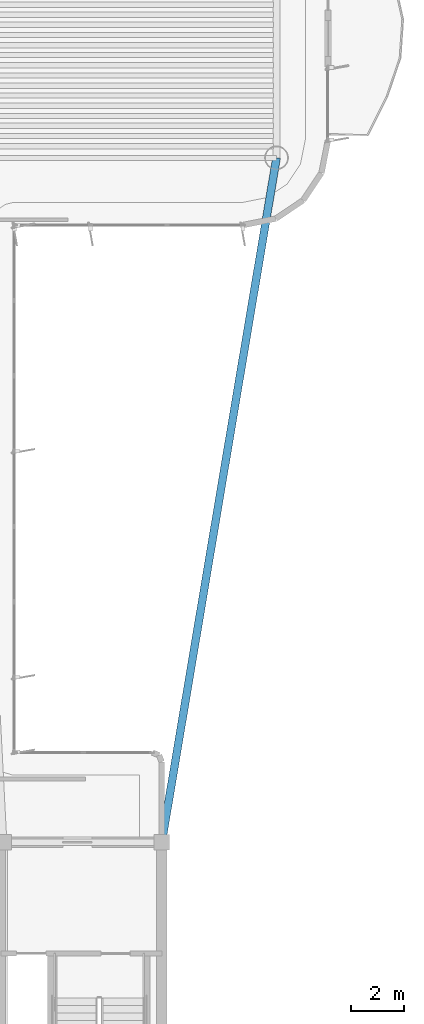
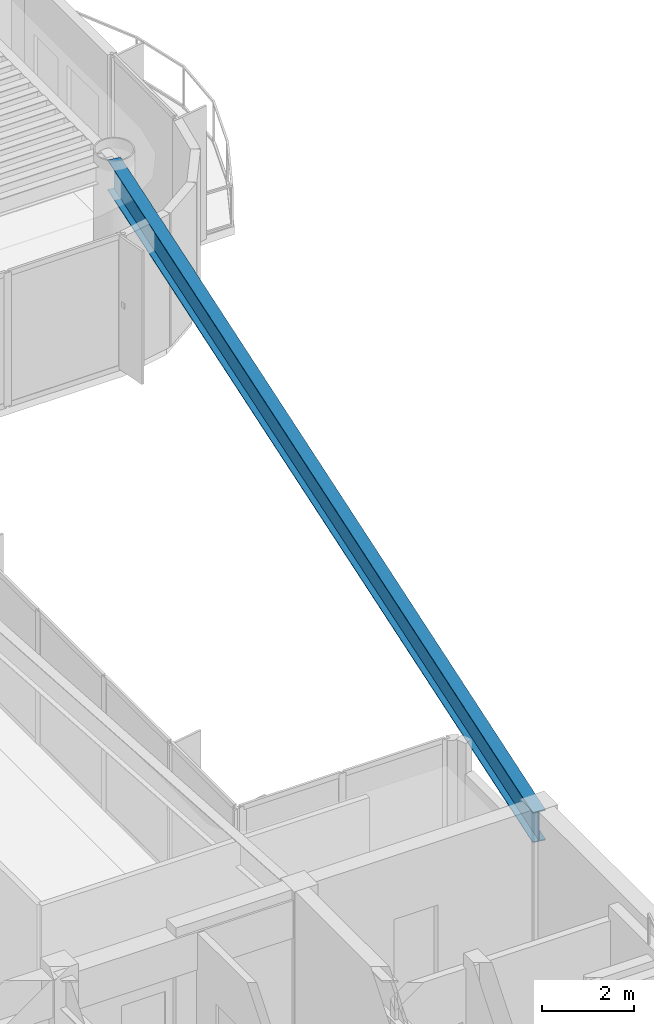
# One storey, part 4 of 15: 1 beam.
"""IFC4 building model written with IfcOpenShell, lengths in metres."""

import ifcopenshell
import ifcopenshell.guid

model = None  # the IFC model being written
_history = None  # IfcOwnerHistory: only IFC2X3 demands one
_inside = {}  # id of a spatial element -> (the spatial element, [elements in it])
_under = {}  # id of a project, library or spatial element -> (it, [spatial elements below it])
_declared = {}  # id of a project -> (the project, [libraries it declares])
_typed = {}  # id of a type object -> (the type object, [elements of that type])
_made_of = {}  # id of a material, layer set ... -> (it, [elements and type objects made of it])


def new_model(schema):
    """Start an empty IFC model of exactly this schema.

    Asked for "IFC4X3", IfcOpenShell would pick the latest addendum, in which some entities
    have other attributes; the version numbers below select the first issue.
    IFC2X3 requires an IfcOwnerHistory on every rooted entity: one is made here for all.
    """
    global model, _history
    if schema == "IFC4X3":
        model = ifcopenshell.file(schema_version=(4, 3, 0, 0))
    else:
        model = ifcopenshell.file(schema=schema)
    _inside.clear()
    _under.clear()
    _declared.clear()
    _typed.clear()
    _made_of.clear()
    _history = None
    if model.schema == "IFC2X3":
        org = make("IfcOrganization", Name="unknown")
        user = make(
            "IfcPersonAndOrganization",
            ThePerson=make("IfcPerson", FamilyName="unknown"),
            TheOrganization=org,
        )
        app = make(
            "IfcApplication",
            ApplicationDeveloper=org,
            Version="unknown",
            ApplicationFullName="unknown",
            ApplicationIdentifier="unknown",
        )
        _history = make(
            "IfcOwnerHistory",
            OwningUser=user,
            OwningApplication=app,
            ChangeAction="ADDED",
            CreationDate=0,
        )
    return model


def make(cls, **values):
    """One entity of the class cls with the attributes given. An attribute that is None is left unset."""
    return model.create_entity(
        cls, **{name: value for name, value in values.items() if value is not None}
    )


def rooted(cls, **values):
    """An entity with a GlobalId (a new one), such as an element, a storey or a relation."""
    return make(cls, GlobalId=ifcopenshell.guid.new(), OwnerHistory=_history, **values)


def si_unit(unit_type, name, prefix=None):
    """IfcSIUnit, for example si_unit("LENGTHUNIT", "METRE", prefix="MILLI")."""
    return make("IfcSIUnit", UnitType=unit_type, Prefix=prefix, Name=name)


def assignment(units):
    """IfcUnitAssignment: the units of a project."""
    return None if units is None else make("IfcUnitAssignment", Units=units)


def point(xyz):
    """IfcCartesianPoint."""
    return None if xyz is None else make("IfcCartesianPoint", Coordinates=xyz)


def direction(xyz):
    """IfcDirection."""
    return None if xyz is None else make("IfcDirection", DirectionRatios=xyz)


def frame(location, z_axis=None, x_axis=None):
    """IfcAxis2Placement3D, a coordinate frame: its origin and axes. An axis left out is left unset."""
    return make(
        "IfcAxis2Placement3D",
        Location=point(location),
        Axis=direction(z_axis),
        RefDirection=direction(x_axis),
    )


def frame_2d(location, x_axis=None):
    """IfcAxis2Placement2D, a coordinate frame in the plane: its origin and x axis."""
    return make(
        "IfcAxis2Placement2D", Location=point(location), RefDirection=direction(x_axis)
    )


def origin():
    """The frame at (0, 0, 0) with its axes left unset."""
    return frame((0.0, 0.0, 0.0))


def origin_2d():
    """The frame at (0, 0) in the plane with its x axis left unset."""
    return frame_2d((0.0, 0.0))


def place(relative_to, where):
    """IfcLocalPlacement: puts the frame where relative to a parent placement (None: the world)."""
    return make(
        "IfcLocalPlacement", PlacementRelTo=relative_to, RelativePlacement=where
    )


def context(
    kind, dimensions, precision=None, world=None, true_north=None, identifier=None
):
    """IfcGeometricRepresentationContext, for example the 3D "Model" context."""
    return make(
        "IfcGeometricRepresentationContext",
        ContextIdentifier=identifier,
        ContextType=kind,
        CoordinateSpaceDimension=dimensions,
        Precision=precision,
        WorldCoordinateSystem=world,
        TrueNorth=true_north,
    )


def subcontext(parent, identifier, kind, view, scale=None):
    """IfcGeometricRepresentationSubContext, for example "Body" below "Model"."""
    return make(
        "IfcGeometricRepresentationSubContext",
        ContextIdentifier=identifier,
        ContextType=kind,
        ParentContext=parent,
        TargetScale=scale,
        TargetView=view,
    )


def project(units=None, contexts=None):
    """IfcProject with its units and contexts."""
    return rooted(
        "IfcProject",
        Name="project",
        RepresentationContexts=contexts,
        UnitsInContext=assignment(units),
    )


def spatial(cls, under=None, at=None, **own):
    """A site, building, storey or space (cls), placed at a placement, below another one or the project."""
    s = rooted(cls, ObjectPlacement=at, **own)
    if under is not None:
        _under.setdefault(under.id(), (under, []))[1].append(s)
    return s


def profile(cls, at=None, kind="AREA", **sizes):
    """A parametric profile (cls). Its sizes go by their IFC names, for example OverallWidth=200.0."""
    return make(cls, ProfileType=kind, Position=at, **sizes)


def i_section(**sizes):
    """IfcIShapeProfileDef."""
    return profile("IfcIShapeProfileDef", **sizes)


def extrude(swept, where, along, depth):
    """IfcExtrudedAreaSolid: the profile swept, set in the frame where, extruded along a direction by depth."""
    return make(
        "IfcExtrudedAreaSolid",
        SweptArea=swept,
        Position=where,
        ExtrudedDirection=direction(along),
        Depth=depth,
    )


def shape(context_of_items, identifier, shape_type, items):
    """IfcShapeRepresentation: the items that make up one representation, for example the "Body"."""
    return make(
        "IfcShapeRepresentation",
        ContextOfItems=context_of_items,
        RepresentationIdentifier=identifier,
        RepresentationType=shape_type,
        Items=items,
    )


def source(mapping_origin, context_of_items, identifier, shape_type, items):
    """IfcRepresentationMap: a shape defined once, which mapped items show again and again."""
    return make(
        "IfcRepresentationMap",
        MappingOrigin=mapping_origin,
        MappedRepresentation=shape(context_of_items, identifier, shape_type, items),
    )


def transform(
    local_origin,
    x_axis=None,
    y_axis=None,
    z_axis=None,
    scale=None,
    scale2=None,
    scale3=None,
    uniform=True,
):
    """IfcCartesianTransformationOperator3D, or its non-uniform kind. x_axis, y_axis, z_axis: its Axis1, 2, 3."""
    if uniform:
        return make(
            "IfcCartesianTransformationOperator3D",
            Axis1=direction(x_axis),
            Axis2=direction(y_axis),
            LocalOrigin=point(local_origin),
            Scale=scale,
            Axis3=direction(z_axis),
        )
    return make(
        "IfcCartesianTransformationOperator3DnonUniform",
        Axis1=direction(x_axis),
        Axis2=direction(y_axis),
        LocalOrigin=point(local_origin),
        Scale=scale,
        Axis3=direction(z_axis),
        Scale2=scale2,
        Scale3=scale3,
    )


def mapped(mapping_source, mapping_target):
    """IfcMappedItem: shows the shape of a source again, moved by a transform."""
    return make(
        "IfcMappedItem", MappingSource=mapping_source, MappingTarget=mapping_target
    )


def material(Name=None, Category=None):
    """IfcMaterial."""
    return make("IfcMaterial", Name=Name, Category=Category)


def material_profile(
    of_material, cross_section, Name=None, Category=None, Priority=None
):
    """IfcMaterialProfile: a cross section and its material."""
    return make(
        "IfcMaterialProfile",
        Name=Name,
        Material=of_material,
        Profile=cross_section,
        Priority=Priority,
        Category=Category,
    )


def profile_set(profiles, Name=None, composite=None):
    """IfcMaterialProfileSet."""
    return make(
        "IfcMaterialProfileSet",
        Name=Name,
        MaterialProfiles=profiles,
        CompositeProfile=composite,
    )


def made_of(thing, what):
    """Note that an element or type object is made of a material, layer set ...; save() writes the relation."""
    if what is not None:
        _made_of.setdefault(what.id(), (what, []))[1].append(thing)
    return thing


def type_object(cls, material=None, **own):
    """A type object (cls), such as IfcWallType, which elements share."""
    return made_of(rooted(cls, **own), material)


def element(
    cls,
    number,
    at=None,
    inside=None,
    cuts=None,
    type_object=None,
    material=None,
    context=None,
    identifier="Body",
    shape_type=None,
    held_by="IfcProductDefinitionShape",
    body=None,
    shapes=None,
    **own,
):
    """One element of the class cls, such as IfcWall. Its Tag is "e" and its number.

    at: its placement. inside: the storey or other place that contains it. cuts: it is an
    opening in that element (IfcRelVoidsElement). A single representation is given by context,
    identifier, shape_type and body (its items); several are given by shapes. held_by: the class
    of the entity that holds the representations. save() writes the other relations.
    """
    e = rooted(cls, Tag="e%d" % number, ObjectPlacement=at, **own)
    if body is not None:
        shapes = [shape(context, identifier, shape_type, body)]
    if shapes is not None:
        e.Representation = make(held_by, Representations=shapes)
    if inside is not None:
        _inside.setdefault(inside.id(), (inside, []))[1].append(e)
    if cuts is not None:
        rooted(
            "IfcRelVoidsElement", RelatingBuildingElement=cuts, RelatedOpeningElement=e
        )
    if type_object is not None:
        _typed.setdefault(type_object.id(), (type_object, []))[1].append(e)
    return made_of(e, material)


def aggregate(whole, parts):
    """IfcRelAggregates: a whole, such as a stair, and the parts it consists of."""
    return rooted("IfcRelAggregates", RelatingObject=whole, RelatedObjects=parts)


def save(model, path):
    """Write the relations noted so far, then the file.

    IfcRelAggregates (storeys below a building ...), IfcRelContainedInSpatialStructure (elements
    in a storey), IfcRelDefinesByType, IfcRelAssociatesMaterial and IfcRelDeclares: one each for
    every whole, place, type object, material and project.
    """
    for whole, parts in _under.values():
        aggregate(whole, parts)
    for where, things in _inside.values():
        rooted(
            "IfcRelContainedInSpatialStructure",
            RelatedElements=things,
            RelatingStructure=where,
        )
    for kind, things in _typed.values():
        rooted("IfcRelDefinesByType", RelatedObjects=things, RelatingType=kind)
    for what, things in _made_of.values():
        rooted("IfcRelAssociatesMaterial", RelatedObjects=things, RelatingMaterial=what)
    for by, libraries in _declared.values():
        rooted("IfcRelDeclares", RelatingContext=by, RelatedDefinitions=libraries)
    model.write(path)


model = new_model("IFC4")

# Units and contexts
model_context = context("Model", 3, precision=1e-05, world=origin(), true_north=direction((0.0, 1.0)))
body_context = subcontext(model_context, "Body", "Model", "MODEL_VIEW")
ifc_project = project(units=[si_unit("LENGTHUNIT", "METRE"), si_unit("AREAUNIT", "SQUARE_METRE"), si_unit("VOLUMEUNIT", "CUBIC_METRE"), si_unit("PLANEANGLEUNIT", "RADIAN"), si_unit("MASSUNIT", "GRAM", prefix="KILO")], contexts=[model_context])

# Site, building, storey
site_placement = place(None, origin())
site = spatial("IfcSite", under=ifc_project, at=site_placement, CompositionType="ELEMENT")
building_placement = place(site_placement, origin())
building = spatial("IfcBuilding", under=site, at=building_placement, Name="Brelvock Crest Care Tower", CompositionType="ELEMENT")
storey_placement = place(building_placement, frame((0.0, 0.0, 279.719970703125)))
storey = spatial("IfcBuildingStorey", under=building, at=storey_placement, Name="L71", CompositionType="ELEMENT", Elevation=279.719970703125)

# Beam
ifc_material = material(Name="Steel Grade 350", Category="steel")
ifc_material_profile = material_profile(ifc_material, i_section(OverallWidth=0.300048828125, OverallDepth=0.800048828125, WebThickness=0.013916015625, FlangeThickness=0.02197265625, at=origin_2d()), Name="800WB192")
ifc_profile_set = profile_set([ifc_material_profile], Name="Steel Grade 350")
beam_type = type_object("IfcBeamType", Name="BM-G5", PredefinedType="BEAM", material=ifc_profile_set)
shared_shape = source(origin(), body_context, "Body", "SweptSolid", [
    extrude(i_section(OverallWidth=0.300048828125, OverallDepth=0.800048828125, WebThickness=0.013916015625, FlangeThickness=0.02197265625, at=origin_2d()), origin(), (0.0, 0.0, 1.0), 26.31201171875),
])
beam_placement = place(storey_placement, frame((48.0, 18.0, 3.130126953125), z_axis=(0.165327282709, 0.986238758918, 0.0), x_axis=(-0.986238758918, 0.165327282709, 0.0)))
element("IfcBeam", 1, at=beam_placement, inside=storey, type_object=beam_type, Name="BM-THRO-E-L71", PredefinedType="BEAM", context=body_context, shape_type="MappedRepresentation", body=[
    mapped(shared_shape, transform((0.0, 0.0, 0.0), x_axis=(1.0, 0.0, 0.0), y_axis=(0.0, 1.0, 0.0), z_axis=(0.0, 0.0, 1.0), scale=1.0)),
])

save(model, "model.ifc")
